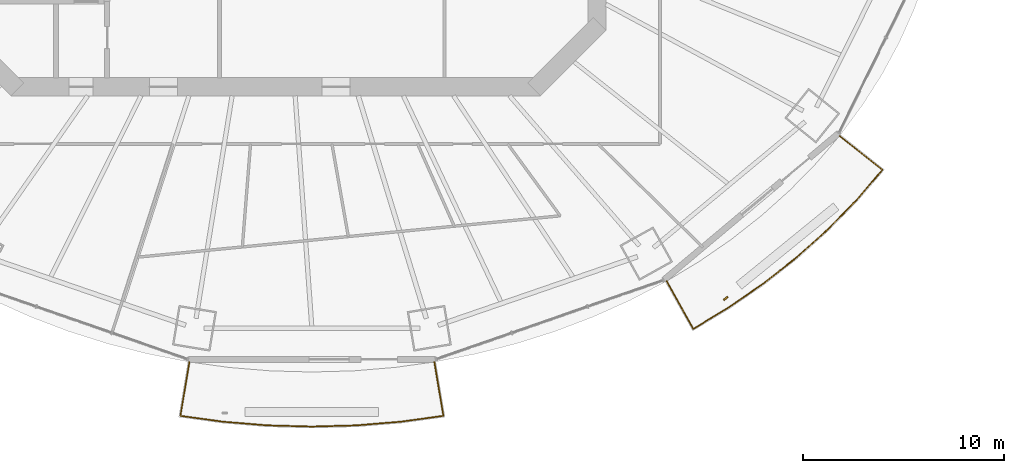
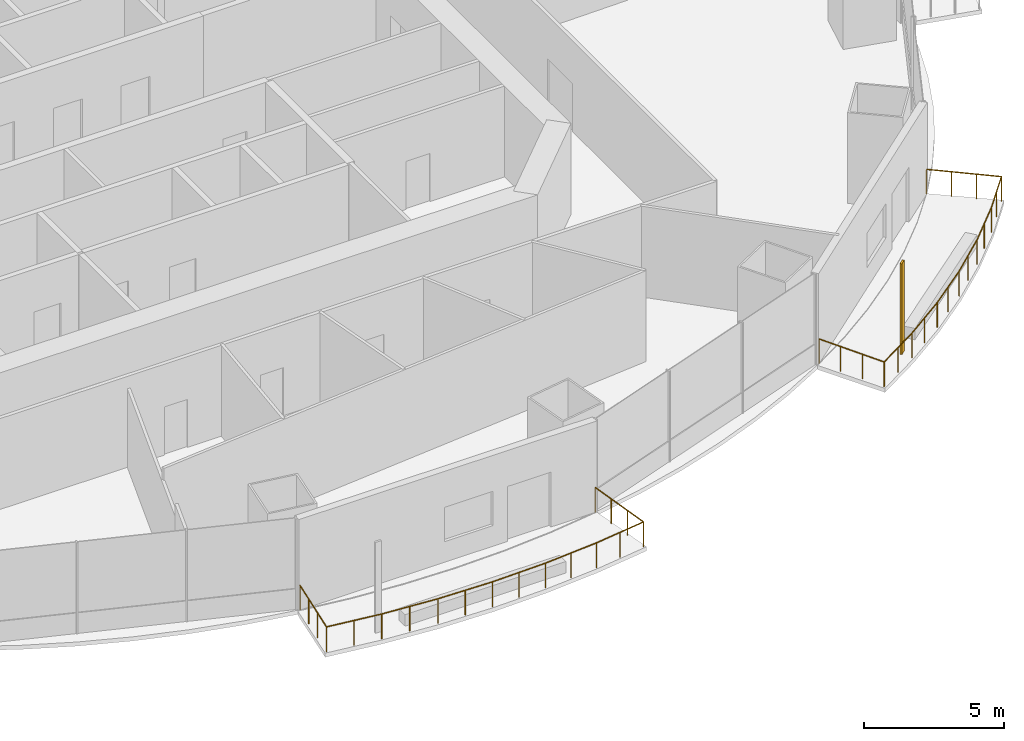
# One storey, part 17 of 21: 2 railings, 1 shading device.
"""IFC4 building model written with IfcOpenShell, lengths in metres."""

from ifc_helpers import new_model, si_unit, direction, frame, origin, origin_2d, place, context, subcontext, project, spatial, rectangle, circle, extrude, material, material_profile, profile_set, type_object, element, save


model = new_model("IFC4")

# Units and contexts
model_context = context("Model", 3, precision=1e-05, world=origin(), true_north=direction((0.0, 1.0)))
body_context = subcontext(model_context, "Body", "Model", "MODEL_VIEW")
ifc_project = project(units=[si_unit("LENGTHUNIT", "METRE"), si_unit("AREAUNIT", "SQUARE_METRE"), si_unit("VOLUMEUNIT", "CUBIC_METRE"), si_unit("PLANEANGLEUNIT", "RADIAN"), si_unit("MASSUNIT", "GRAM", prefix="KILO")], contexts=[model_context])

# Site, building, storey
site_placement = place(None, origin())
site = spatial("IfcSite", under=ifc_project, at=site_placement, CompositionType="ELEMENT")
building_placement = place(site_placement, origin())
building = spatial("IfcBuilding", under=site, at=building_placement, Name="Marenthal Gate Tower", CompositionType="ELEMENT")
storey_placement = place(building_placement, frame((0.0, 0.0, 198.39990234375)))
storey = spatial("IfcBuildingStorey", under=building, at=storey_placement, Name="L43", CompositionType="ELEMENT", Elevation=198.39990234375)

# Railings
ifc_material_1 = material(Name="Stainless steel", Category="steel")
railing_type = type_object("IfcRailingType", Name="Balcony guard 1100", PredefinedType="GUARDRAIL", material=ifc_material_1)
railing_1_placement = place(storey_placement, frame((7.90380859375, -26.716796875, 0.0)))
element("IfcRailing", 1, at=railing_1_placement, inside=storey, type_object=railing_type, Name="Balcony guard L43 bay 12", PredefinedType="GUARDRAIL", context=body_context, shape_type="SweptSolid", body=[
    extrude(circle(Radius=0.02392578125, at=origin_2d()), frame((0.0, 0.0, 1.076171875), z_axis=(0.164861634129, -0.986208218533, -0.014628441134), x_axis=(0.986313755456, 0.164879276438, 0.0)), (0.0, 0.0, 1.0), 2.720458984375),
    extrude(circle(Radius=0.02392578125, at=origin_2d()), frame((0.448486328125, -2.682861328125, 1.0361328125), z_axis=(-0.990663219108, -0.136331897612, 0.0), x_axis=(0.136331897612, -0.990663219108, 0.0)), (0.0, 0.0, 1.0), 2.136474609375),
    extrude(circle(Radius=0.02392578125, at=origin_2d()), frame((-1.66796875, -2.97412109375, 1.0361328125), z_axis=(-0.996604639132, -0.082335856465, 0.0), x_axis=(0.082335856465, -0.996604639132, 0.0)), (0.0, 0.0, 1.0), 2.220947265625),
    extrude(circle(Radius=0.02392578125, at=origin_2d()), frame((-3.88134765625, -3.156982421875, 1.0361328125), z_axis=(-0.999620072433, -0.027562851607, 0.0), x_axis=(0.027562851607, -0.999620072433, 0.0)), (0.0, 0.0, 1.0), 2.22314453125),
    extrude(circle(Radius=0.02392578125, at=origin_2d()), frame((-6.103759765625, -3.21826171875, 1.0361328125), z_axis=(-0.999620072433, 0.027562851607, 0.0), x_axis=(-0.027562851607, -0.999620072433, 0.0)), (0.0, 0.0, 1.0), 2.22314453125),
    extrude(circle(Radius=0.02392578125, at=origin_2d()), frame((-8.326171875, -3.156982421875, 1.0361328125), z_axis=(-0.996604639132, 0.082335856465, 0.0), x_axis=(-0.082335856465, -0.996604639132, 0.0)), (0.0, 0.0, 1.0), 2.220947265625),
    extrude(circle(Radius=0.02392578125, at=origin_2d()), frame((-10.53955078125, -2.97412109375, 1.0361328125), z_axis=(-0.990665342735, 0.136316465269, 0.0), x_axis=(-0.136316465269, -0.990665342735, 0.0)), (0.0, 0.0, 1.0), 2.13671875),
    extrude(circle(Radius=0.02392578125, at=origin_2d()), frame((-12.65625, -2.682861328125, 1.0361328125), z_axis=(0.164861634129, 0.986208218533, 0.014628441134), x_axis=(-0.986313755456, 0.164879276438, 0.0)), (0.0, 0.0, 1.0), 2.720458984375),
    extrude(circle(Radius=0.02099609375, at=origin_2d()), origin(), (0.0, 0.0, 1.0), 1.052001953125),
    extrude(circle(Radius=0.02099609375, at=origin_2d()), frame((0.1494140625, -0.894287109375, -0.01318359375)), (0.0, 0.0, 1.0), 1.052001953125),
    extrude(circle(Radius=0.02099609375, at=origin_2d()), frame((0.299072265625, -1.78857421875, -0.026611328125)), (0.0, 0.0, 1.0), 1.052001953125),
    extrude(circle(Radius=0.02099609375, at=origin_2d()), frame((0.448486328125, -2.682861328125, -0.039794921875)), (0.0, 0.0, 1.0), 1.052001953125),
    extrude(circle(Radius=0.02099609375, at=origin_2d()), frame((-0.60986328125, -2.82861328125, -0.039794921875)), (0.0, 0.0, 1.0), 1.052001953125),
    extrude(circle(Radius=0.02099609375, at=origin_2d()), frame((-1.66796875, -2.97412109375, -0.039794921875)), (0.0, 0.0, 1.0), 1.052001953125),
    extrude(circle(Radius=0.02099609375, at=origin_2d()), frame((-2.774658203125, -3.0654296875, -0.039794921875)), (0.0, 0.0, 1.0), 1.052001953125),
    extrude(circle(Radius=0.02099609375, at=origin_2d()), frame((-3.88134765625, -3.156982421875, -0.039794921875)), (0.0, 0.0, 1.0), 1.052001953125),
    extrude(circle(Radius=0.02099609375, at=origin_2d()), frame((-4.99267578125, -3.1875, -0.039794921875)), (0.0, 0.0, 1.0), 1.052001953125),
    extrude(circle(Radius=0.02099609375, at=origin_2d()), frame((-6.103759765625, -3.21826171875, -0.039794921875)), (0.0, 0.0, 1.0), 1.052001953125),
    extrude(circle(Radius=0.02099609375, at=origin_2d()), frame((-7.21484375, -3.1875, -0.039794921875)), (0.0, 0.0, 1.0), 1.052001953125),
    extrude(circle(Radius=0.02099609375, at=origin_2d()), frame((-8.326171875, -3.156982421875, -0.039794921875)), (0.0, 0.0, 1.0), 1.052001953125),
    extrude(circle(Radius=0.02099609375, at=origin_2d()), frame((-9.432861328125, -3.0654296875, -0.039794921875)), (0.0, 0.0, 1.0), 1.052001953125),
    extrude(circle(Radius=0.02099609375, at=origin_2d()), frame((-10.53955078125, -2.97412109375, -0.039794921875)), (0.0, 0.0, 1.0), 1.052001953125),
    extrude(circle(Radius=0.02099609375, at=origin_2d()), frame((-11.597900390625, -2.82861328125, -0.039794921875)), (0.0, 0.0, 1.0), 1.052001953125),
    extrude(circle(Radius=0.02099609375, at=origin_2d()), frame((-12.65625, -2.682861328125, -0.039794921875)), (0.0, 0.0, 1.0), 1.052001953125),
    extrude(circle(Radius=0.02099609375, at=origin_2d()), frame((-12.5068359375, -1.78857421875, -0.026611328125)), (0.0, 0.0, 1.0), 1.052001953125),
    extrude(circle(Radius=0.02099609375, at=origin_2d()), frame((-12.357177734375, -0.894287109375, -0.01318359375)), (0.0, 0.0, 1.0), 1.052001953125),
    extrude(circle(Radius=0.02099609375, at=origin_2d()), frame((-12.207763671875, 0.0, 0.0)), (0.0, 0.0, 1.0), 1.052001953125),
])
railing_2_placement = place(storey_placement, frame((28.10107421875, -15.44921875, 0.0)))
element("IfcRailing", 2, at=railing_2_placement, inside=storey, type_object=railing_type, Name="Balcony guard L43 bay 14", PredefinedType="GUARDRAIL", context=body_context, shape_type="SweptSolid", body=[
    extrude(circle(Radius=0.02392578125, at=origin_2d()), frame((0.0, 0.0, 1.076171875), z_axis=(0.782777597499, -0.622129592509, -0.014628840678), x_axis=(0.622196171988, 0.782861369313, 0.0)), (0.0, 0.0, 1.0), 2.72021484375),
    extrude(circle(Radius=0.02392578125, at=origin_2d()), frame((2.12939453125, -1.6923828125, 1.0361328125), z_axis=(-0.650106163754, -0.759843389028, 0.0), x_axis=(0.759843389028, -0.650106163754, 0.0)), (0.0, 0.0, 1.0), 1.966796875),
    extrude(circle(Radius=0.02392578125, at=origin_2d()), frame((0.850830078125, -3.186767578125, 1.0361328125), z_axis=(-0.698897192243, -0.715222143585, 0.0), x_axis=(0.715222143585, -0.698897192243, 0.0)), (0.0, 0.0, 1.0), 2.063720703125),
    extrude(circle(Radius=0.02392578125, at=origin_2d()), frame((-0.591552734375, -4.662841796875, 1.0361328125), z_axis=(-0.744529235913, -0.667589856776, 0.0), x_axis=(0.667589856776, -0.744529235913, 0.0)), (0.0, 0.0, 1.0), 2.08154296875),
    extrude(circle(Radius=0.02392578125, at=origin_2d()), frame((-2.141357421875, -6.052490234375, 1.0361328125), z_axis=(-0.785971142181, -0.618263183166, 0.0), x_axis=(0.618263183166, -0.785971142181, 0.0)), (0.0, 0.0, 1.0), 2.09912109375),
    extrude(circle(Radius=0.02392578125, at=origin_2d()), frame((-3.791259765625, -7.350341796875, 1.0361328125), z_axis=(-0.823307575665, -0.56759548611, 0.0), x_axis=(0.56759548611, -0.823307575665, 0.0)), (0.0, 0.0, 1.0), 2.11669921875),
    extrude(circle(Radius=0.02392578125, at=origin_2d()), frame((-5.533935546875, -8.5517578125, 1.0361328125), z_axis=(-0.856189474473, -0.516661962797, 0.0), x_axis=(0.516661962797, -0.856189474473, 0.0)), (0.0, 0.0, 1.0), 2.0537109375),
    extrude(circle(Radius=0.02392578125, at=origin_2d()), frame((-7.292236328125, -9.61279296875, 1.0361328125), z_axis=(-0.489654758179, 0.871793680526, 0.014628615393), x_axis=(-0.871886975849, -0.489707158764, 0.0)), (0.0, 0.0, 1.0), 2.720458984375),
    extrude(circle(Radius=0.02099609375, at=origin_2d()), origin(), (0.0, 0.0, 1.0), 1.052001953125),
    extrude(circle(Radius=0.02099609375, at=origin_2d()), frame((0.709716796875, -0.564208984375, -0.01318359375)), (0.0, 0.0, 1.0), 1.052001953125),
    extrude(circle(Radius=0.02099609375, at=origin_2d()), frame((1.419677734375, -1.128173828125, -0.026611328125)), (0.0, 0.0, 1.0), 1.052001953125),
    extrude(circle(Radius=0.02099609375, at=origin_2d()), frame((2.12939453125, -1.6923828125, -0.039794921875)), (0.0, 0.0, 1.0), 1.052001953125),
    extrude(circle(Radius=0.02099609375, at=origin_2d()), frame((1.490234375, -2.439453125, -0.039794921875)), (0.0, 0.0, 1.0), 1.052001953125),
    extrude(circle(Radius=0.02099609375, at=origin_2d()), frame((0.850830078125, -3.186767578125, -0.039794921875)), (0.0, 0.0, 1.0), 1.052001953125),
    extrude(circle(Radius=0.02099609375, at=origin_2d()), frame((0.129638671875, -3.9248046875, -0.039794921875)), (0.0, 0.0, 1.0), 1.052001953125),
    extrude(circle(Radius=0.02099609375, at=origin_2d()), frame((-0.591552734375, -4.662841796875, -0.039794921875)), (0.0, 0.0, 1.0), 1.052001953125),
    extrude(circle(Radius=0.02099609375, at=origin_2d()), frame((-1.366455078125, -5.357666015625, -0.039794921875)), (0.0, 0.0, 1.0), 1.052001953125),
    extrude(circle(Radius=0.02099609375, at=origin_2d()), frame((-2.141357421875, -6.052490234375, -0.039794921875)), (0.0, 0.0, 1.0), 1.052001953125),
    extrude(circle(Radius=0.02099609375, at=origin_2d()), frame((-2.96630859375, -6.701416015625, -0.039794921875)), (0.0, 0.0, 1.0), 1.052001953125),
    extrude(circle(Radius=0.02099609375, at=origin_2d()), frame((-3.791259765625, -7.350341796875, -0.039794921875)), (0.0, 0.0, 1.0), 1.052001953125),
    extrude(circle(Radius=0.02099609375, at=origin_2d()), frame((-4.66259765625, -7.951171875, -0.039794921875)), (0.0, 0.0, 1.0), 1.052001953125),
    extrude(circle(Radius=0.02099609375, at=origin_2d()), frame((-5.533935546875, -8.5517578125, -0.039794921875)), (0.0, 0.0, 1.0), 1.052001953125),
    extrude(circle(Radius=0.02099609375, at=origin_2d()), frame((-6.4130859375, -9.082275390625, -0.039794921875)), (0.0, 0.0, 1.0), 1.052001953125),
    extrude(circle(Radius=0.02099609375, at=origin_2d()), frame((-7.292236328125, -9.61279296875, -0.039794921875)), (0.0, 0.0, 1.0), 1.052001953125),
    extrude(circle(Radius=0.02099609375, at=origin_2d()), frame((-7.736328125, -8.822265625, -0.026611328125)), (0.0, 0.0, 1.0), 1.052001953125),
    extrude(circle(Radius=0.02099609375, at=origin_2d()), frame((-8.18017578125, -8.03173828125, -0.01318359375)), (0.0, 0.0, 1.0), 1.052001953125),
    extrude(circle(Radius=0.02099609375, at=origin_2d()), frame((-8.624267578125, -7.2412109375, 0.0)), (0.0, 0.0, 1.0), 1.052001953125),
])

# Shading device
ifc_material_2 = material(Name="Terracotta", Category="masonry")
ifc_material_profile = material_profile(ifc_material_2, rectangle(XDim=0.25, YDim=0.080078125, at=origin_2d()), Name="Terracotta baguette 250x80")
ifc_profile_set = profile_set([ifc_material_profile], Name="Terracotta")
shading_device_type = type_object("IfcShadingDeviceType", Name="Terracotta BAGUETTE SCREEN 250x80", PredefinedType="USERDEFINED", material=ifc_profile_set)
shading_device_placement = place(storey_placement, frame((22.424072265625, -23.54638671875, -0.039794921875), z_axis=(0.0, 0.0, 1.0), x_axis=(0.765704864788, 0.643192086425, 0.0)))
element("IfcShadingDevice", 3, at=shading_device_placement, inside=storey, type_object=shading_device_type, Name="Terracotta BAGUETTE L43 bay 14L", ObjectType="BAGUETTE SCREEN", PredefinedType="USERDEFINED", context=body_context, shape_type="SweptSolid", body=[
    extrude(rectangle(XDim=0.25, YDim=0.080078125, at=origin_2d()), origin(), (0.0, 0.0, 1.0), 3.969970703125),
])

save(model, "model.ifc")
